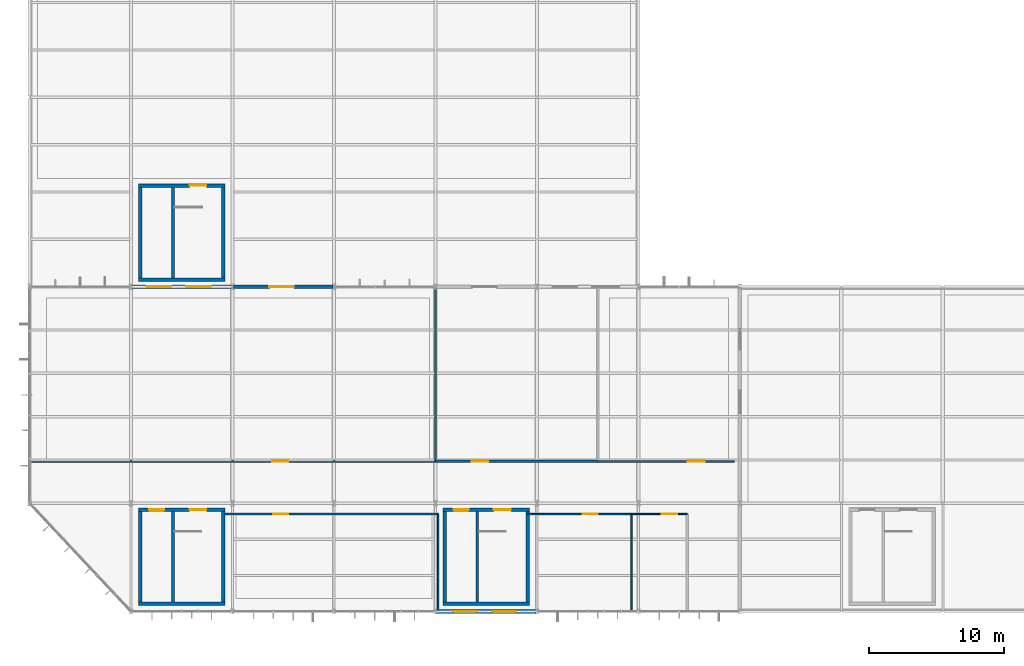
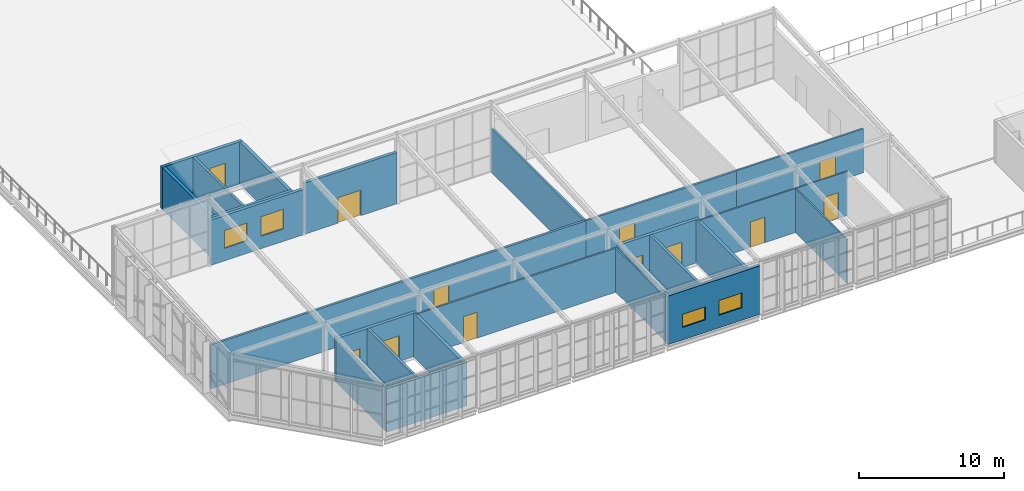
# One storey, part 95 of 104: 27 walls, 12 doors, 4 windows, 16 openings.
"""IFC4 building model written with IfcOpenShell, lengths in metres."""

import ifcopenshell
import ifcopenshell.guid

model = None  # the IFC model being written
_history = None  # IfcOwnerHistory: only IFC2X3 demands one
_inside = {}  # id of a spatial element -> (the spatial element, [elements in it])
_under = {}  # id of a project, library or spatial element -> (it, [spatial elements below it])
_declared = {}  # id of a project -> (the project, [libraries it declares])
_typed = {}  # id of a type object -> (the type object, [elements of that type])
_made_of = {}  # id of a material, layer set ... -> (it, [elements and type objects made of it])


def new_model(schema):
    """Start an empty IFC model of exactly this schema.

    Asked for "IFC4X3", IfcOpenShell would pick the latest addendum, in which some entities
    have other attributes; the version numbers below select the first issue.
    IFC2X3 requires an IfcOwnerHistory on every rooted entity: one is made here for all.
    """
    global model, _history
    if schema == "IFC4X3":
        model = ifcopenshell.file(schema_version=(4, 3, 0, 0))
    else:
        model = ifcopenshell.file(schema=schema)
    _inside.clear()
    _under.clear()
    _declared.clear()
    _typed.clear()
    _made_of.clear()
    _history = None
    if model.schema == "IFC2X3":
        org = make("IfcOrganization", Name="unknown")
        user = make(
            "IfcPersonAndOrganization",
            ThePerson=make("IfcPerson", FamilyName="unknown"),
            TheOrganization=org,
        )
        app = make(
            "IfcApplication",
            ApplicationDeveloper=org,
            Version="unknown",
            ApplicationFullName="unknown",
            ApplicationIdentifier="unknown",
        )
        _history = make(
            "IfcOwnerHistory",
            OwningUser=user,
            OwningApplication=app,
            ChangeAction="ADDED",
            CreationDate=0,
        )
    return model


def make(cls, **values):
    """One entity of the class cls with the attributes given. An attribute that is None is left unset."""
    return model.create_entity(
        cls, **{name: value for name, value in values.items() if value is not None}
    )


def rooted(cls, **values):
    """An entity with a GlobalId (a new one), such as an element, a storey or a relation."""
    return make(cls, GlobalId=ifcopenshell.guid.new(), OwnerHistory=_history, **values)


def si_unit(unit_type, name, prefix=None):
    """IfcSIUnit, for example si_unit("LENGTHUNIT", "METRE", prefix="MILLI")."""
    return make("IfcSIUnit", UnitType=unit_type, Prefix=prefix, Name=name)


def assignment(units):
    """IfcUnitAssignment: the units of a project."""
    return None if units is None else make("IfcUnitAssignment", Units=units)


def point(xyz):
    """IfcCartesianPoint."""
    return None if xyz is None else make("IfcCartesianPoint", Coordinates=xyz)


def direction(xyz):
    """IfcDirection."""
    return None if xyz is None else make("IfcDirection", DirectionRatios=xyz)


def frame(location, z_axis=None, x_axis=None):
    """IfcAxis2Placement3D, a coordinate frame: its origin and axes. An axis left out is left unset."""
    return make(
        "IfcAxis2Placement3D",
        Location=point(location),
        Axis=direction(z_axis),
        RefDirection=direction(x_axis),
    )


def frame_2d(location, x_axis=None):
    """IfcAxis2Placement2D, a coordinate frame in the plane: its origin and x axis."""
    return make(
        "IfcAxis2Placement2D", Location=point(location), RefDirection=direction(x_axis)
    )


def origin():
    """The frame at (0, 0, 0) with its axes left unset."""
    return frame((0.0, 0.0, 0.0))


def place(relative_to, where):
    """IfcLocalPlacement: puts the frame where relative to a parent placement (None: the world)."""
    return make(
        "IfcLocalPlacement", PlacementRelTo=relative_to, RelativePlacement=where
    )


def context(
    kind, dimensions, precision=None, world=None, true_north=None, identifier=None
):
    """IfcGeometricRepresentationContext, for example the 3D "Model" context."""
    return make(
        "IfcGeometricRepresentationContext",
        ContextIdentifier=identifier,
        ContextType=kind,
        CoordinateSpaceDimension=dimensions,
        Precision=precision,
        WorldCoordinateSystem=world,
        TrueNorth=true_north,
    )


def subcontext(parent, identifier, kind, view, scale=None):
    """IfcGeometricRepresentationSubContext, for example "Body" below "Model"."""
    return make(
        "IfcGeometricRepresentationSubContext",
        ContextIdentifier=identifier,
        ContextType=kind,
        ParentContext=parent,
        TargetScale=scale,
        TargetView=view,
    )


def project(units=None, contexts=None):
    """IfcProject with its units and contexts."""
    return rooted(
        "IfcProject",
        Name="project",
        RepresentationContexts=contexts,
        UnitsInContext=assignment(units),
    )


def spatial(cls, under=None, at=None, **own):
    """A site, building, storey or space (cls), placed at a placement, below another one or the project."""
    s = rooted(cls, ObjectPlacement=at, **own)
    if under is not None:
        _under.setdefault(under.id(), (under, []))[1].append(s)
    return s


def profile(cls, at=None, kind="AREA", **sizes):
    """A parametric profile (cls). Its sizes go by their IFC names, for example OverallWidth=200.0."""
    return make(cls, ProfileType=kind, Position=at, **sizes)


def rectangle(**sizes):
    """IfcRectangleProfileDef."""
    return profile("IfcRectangleProfileDef", **sizes)


def extrude(swept, where, along, depth):
    """IfcExtrudedAreaSolid: the profile swept, set in the frame where, extruded along a direction by depth."""
    return make(
        "IfcExtrudedAreaSolid",
        SweptArea=swept,
        Position=where,
        ExtrudedDirection=direction(along),
        Depth=depth,
    )


def shape(context_of_items, identifier, shape_type, items):
    """IfcShapeRepresentation: the items that make up one representation, for example the "Body"."""
    return make(
        "IfcShapeRepresentation",
        ContextOfItems=context_of_items,
        RepresentationIdentifier=identifier,
        RepresentationType=shape_type,
        Items=items,
    )


def material(Name=None, Category=None):
    """IfcMaterial."""
    return make("IfcMaterial", Name=Name, Category=Category)


def layer(
    of_material, thickness, ventilated=None, Name=None, Category=None, Priority=None
):
    """IfcMaterialLayer: one layer of a wall or slab, of a material (None: an air gap)."""
    return make(
        "IfcMaterialLayer",
        Material=of_material,
        LayerThickness=thickness,
        IsVentilated=ventilated,
        Name=Name,
        Category=Category,
        Priority=Priority,
    )


def layer_set(layers, Name=None):
    """IfcMaterialLayerSet."""
    return make("IfcMaterialLayerSet", MaterialLayers=layers, LayerSetName=Name)


def made_of(thing, what):
    """Note that an element or type object is made of a material, layer set ...; save() writes the relation."""
    if what is not None:
        _made_of.setdefault(what.id(), (what, []))[1].append(thing)
    return thing


def type_object(cls, material=None, **own):
    """A type object (cls), such as IfcWallType, which elements share."""
    return made_of(rooted(cls, **own), material)


def element(
    cls,
    number,
    at=None,
    inside=None,
    cuts=None,
    type_object=None,
    material=None,
    context=None,
    identifier="Body",
    shape_type=None,
    held_by="IfcProductDefinitionShape",
    body=None,
    shapes=None,
    **own,
):
    """One element of the class cls, such as IfcWall. Its Tag is "e" and its number.

    at: its placement. inside: the storey or other place that contains it. cuts: it is an
    opening in that element (IfcRelVoidsElement). A single representation is given by context,
    identifier, shape_type and body (its items); several are given by shapes. held_by: the class
    of the entity that holds the representations. save() writes the other relations.
    """
    e = rooted(cls, Tag="e%d" % number, ObjectPlacement=at, **own)
    if body is not None:
        shapes = [shape(context, identifier, shape_type, body)]
    if shapes is not None:
        e.Representation = make(held_by, Representations=shapes)
    if inside is not None:
        _inside.setdefault(inside.id(), (inside, []))[1].append(e)
    if cuts is not None:
        rooted(
            "IfcRelVoidsElement", RelatingBuildingElement=cuts, RelatedOpeningElement=e
        )
    if type_object is not None:
        _typed.setdefault(type_object.id(), (type_object, []))[1].append(e)
    return made_of(e, material)


def fill(opening, filler):
    """IfcRelFillsElement: the door or window that sits in an opening."""
    return rooted(
        "IfcRelFillsElement",
        RelatingOpeningElement=opening,
        RelatedBuildingElement=filler,
    )


def aggregate(whole, parts):
    """IfcRelAggregates: a whole, such as a stair, and the parts it consists of."""
    return rooted("IfcRelAggregates", RelatingObject=whole, RelatedObjects=parts)


def save(model, path):
    """Write the relations noted so far, then the file.

    IfcRelAggregates (storeys below a building ...), IfcRelContainedInSpatialStructure (elements
    in a storey), IfcRelDefinesByType, IfcRelAssociatesMaterial and IfcRelDeclares: one each for
    every whole, place, type object, material and project.
    """
    for whole, parts in _under.values():
        aggregate(whole, parts)
    for where, things in _inside.values():
        rooted(
            "IfcRelContainedInSpatialStructure",
            RelatedElements=things,
            RelatingStructure=where,
        )
    for kind, things in _typed.values():
        rooted("IfcRelDefinesByType", RelatedObjects=things, RelatingType=kind)
    for what, things in _made_of.values():
        rooted("IfcRelAssociatesMaterial", RelatedObjects=things, RelatingMaterial=what)
    for by, libraries in _declared.values():
        rooted("IfcRelDeclares", RelatingContext=by, RelatedDefinitions=libraries)
    model.write(path)


model = new_model("IFC4")

# Units and contexts
model_context = context("Model", 3, precision=1e-05, world=origin(), true_north=direction((0.0, 1.0)))
body_context = subcontext(model_context, "Body", "Model", "MODEL_VIEW")
ifc_project = project(units=[si_unit("LENGTHUNIT", "METRE"), si_unit("AREAUNIT", "SQUARE_METRE"), si_unit("VOLUMEUNIT", "CUBIC_METRE"), si_unit("PLANEANGLEUNIT", "RADIAN"), si_unit("MASSUNIT", "GRAM", prefix="KILO")], contexts=[model_context])

# Site, building, storey
site_placement = place(None, origin())
site = spatial("IfcSite", under=ifc_project, at=site_placement, CompositionType="ELEMENT")
building_placement = place(site_placement, origin())
building = spatial("IfcBuilding", under=site, at=building_placement, Name="Solvenia Promenade Tram Depot", CompositionType="ELEMENT")
storey_placement = place(building_placement, frame((0.0, 0.0, 9.0)))
storey = spatial("IfcBuildingStorey", under=building, at=storey_placement, Name="L02", CompositionType="ELEMENT", Elevation=9.0)

# Wall
ifc_material_1 = material(Name="Concrete C28/35", Category="concrete")
ifc_layer_1 = layer(ifc_material_1, 0.25, Name="Concrete C28/35", Category="concrete")
ifc_layer_set_1 = layer_set([ifc_layer_1], Name="Concrete C28/35")
wall_type_1 = type_object("IfcWallType", Name="Wall-Core-250", PredefinedType="SHEAR", material=ifc_layer_set_1)
wall_1_placement = place(storey_placement, frame((8.050048828125, 0.574951171875, 0.0), z_axis=(0.0, 0.0, 1.0), x_axis=(1.0, 0.0, 0.0)))
element("IfcWall", 1, at=wall_1_placement, inside=storey, type_object=wall_type_1, Name="Core C1 Shear Wall WC-C1-L02-S", PredefinedType="SHEAR", context=body_context, shape_type="SweptSolid", body=[
    extrude(rectangle(XDim=6.39990234375, YDim=0.25, at=frame_2d((3.199951171875, 0.0))), origin(), (0.0, 0.0, 1.0), 3.64990234375),
])

# Wall, openings, doors
wall_2_placement = place(storey_placement, frame((8.050048828125, 7.52490234375, 0.0), z_axis=(0.0, 0.0, 1.0), x_axis=(1.0, 0.0, 0.0)))
wall_2 = element("IfcWall", 2, at=wall_2_placement, inside=storey, type_object=wall_type_1, Name="Core C1 Shear Wall WC-C1-L02-N", PredefinedType="SHEAR", context=body_context, shape_type="SweptSolid", body=[
    extrude(rectangle(XDim=6.39990234375, YDim=0.25, at=frame_2d((3.199951171875, 0.0))), origin(), (0.0, 0.0, 1.0), 3.64990234375),
])
opening_1_placement = place(wall_2_placement, frame((0.800048828125, 0.0, 0.0)))
opening_1 = element("IfcOpeningElement", 3, at=opening_1_placement, cuts=wall_2, Name="Opening LD-01", PredefinedType="OPENING", context=body_context, shape_type="SweptSolid", body=[
    extrude(rectangle(XDim=1.10009765625, YDim=2.14990234375, at=frame_2d((0.550048828125, 1.074951171875))), frame((0.0, 0.135009765625, 0.0), z_axis=(0.0, -1.0, 0.0), x_axis=(1.0, 0.0, 0.0)), (0.0, 0.0, 1.0), 0.27001953125),
])
opening_2_placement = place(wall_2_placement, frame((3.77490234375, 0.0, 0.0)))
opening_2 = element("IfcOpeningElement", 4, at=opening_2_placement, cuts=wall_2, Name="Opening D-FD90", PredefinedType="OPENING", context=body_context, shape_type="SweptSolid", body=[
    extrude(rectangle(XDim=1.25, YDim=2.14990234375, at=frame_2d((0.625, 1.074951171875))), frame((0.0, 0.135009765625, 0.0), z_axis=(0.0, -1.0, 0.0), x_axis=(1.0, 0.0, 0.0)), (0.0, 0.0, 1.0), 0.27001953125),
])
ifc_material_2 = material(Name="Galvanized painted sheet steel", Category="steel")
door_type_1 = type_object("IfcDoorType", Name="Door-Lift-Pass-1100", OperationType="DOUBLE_DOOR_SLIDING", PredefinedType="DOOR", material=ifc_material_2)
door_1_placement = place(opening_1_placement, origin())
door_1 = element("IfcDoor", 5, at=door_1_placement, inside=storey, type_object=door_type_1, Name="Lift Landing Door LF-01 L02", OperationType="DOUBLE_DOOR_SLIDING", OverallHeight=2.14990234375, OverallWidth=1.10009765625, PredefinedType="DOOR", context=body_context, shape_type="SweptSolid", body=[
    extrude(rectangle(XDim=1.10009765625, YDim=2.14990234375, at=frame_2d((0.550048828125, 1.074951171875))), frame((0.0, 0.02490234375, 0.0), z_axis=(0.0, -1.0, 0.0), x_axis=(1.0, 0.0, 0.0)), (0.0, 0.0, 1.0), 0.050048828125),
])
fill(opening_1, door_1)
door_type_2 = type_object("IfcDoorType", Name="Door-Stair-FD90", OperationType="NOTDEFINED", PredefinedType="DOOR", material=ifc_material_2)
door_2_placement = place(opening_2_placement, frame((1.25, 0.0, 0.0), z_axis=(0.0, 0.0, 1.0), x_axis=(-1.0, 0.0, 0.0)))
door_2 = element("IfcDoor", 6, at=door_2_placement, inside=storey, type_object=door_type_2, Name="Exit Stair Door C1 L02", OperationType="SINGLE_SWING_LEFT", OverallHeight=2.14990234375, OverallWidth=1.25, PredefinedType="DOOR", context=body_context, shape_type="SweptSolid", body=[
    extrude(rectangle(XDim=1.25, YDim=2.14990234375, at=frame_2d((0.625, 1.074951171875))), frame((0.0, 0.02490234375, 0.0), z_axis=(0.0, -1.0, 0.0), x_axis=(1.0, 0.0, 0.0)), (0.0, 0.0, 1.0), 0.050048828125),
])
fill(opening_2, door_2)

# Walls
for number, where, z_axis, x_axis, name in (
    (7, (8.175048828125, 0.699951171875, 0.0), (0.0, 0.0, 1.0), (0.0, 1.0, 0.0), "Core C1 Shear Wall WC-C1-L02-W"),
    (8, (14.324951171875, 0.699951171875, 0.0), (0.0, 0.0, 1.0), (0.0, 1.0, 0.0), "Core C1 Shear Wall WC-C1-L02-E"),
):
    element("IfcWall", number, at=place(storey_placement, frame(where, z_axis=z_axis, x_axis=x_axis)), inside=storey, type_object=wall_type_1, Name=name, PredefinedType="SHEAR", context=body_context, shape_type="SweptSolid", body=[
        extrude(rectangle(XDim=6.699951171875, YDim=0.25, at=frame_2d((3.35009765625, 0.0))), origin(), (0.0, 0.0, 1.0), 3.64990234375),
    ])
wall_3_placement = place(storey_placement, frame((30.550048828125, 0.574951171875, 0.0), z_axis=(0.0, 0.0, 1.0), x_axis=(1.0, 0.0, 0.0)))
element("IfcWall", 9, at=wall_3_placement, inside=storey, type_object=wall_type_1, Name="Core C2 Shear Wall WC-C2-L02-S", PredefinedType="SHEAR", context=body_context, shape_type="SweptSolid", body=[
    extrude(rectangle(XDim=6.39990234375, YDim=0.25, at=frame_2d((3.199951171875, 0.0))), origin(), (0.0, 0.0, 1.0), 3.64990234375),
])

# Wall, openings, doors
wall_4_placement = place(storey_placement, frame((30.550048828125, 7.52490234375, 0.0), z_axis=(0.0, 0.0, 1.0), x_axis=(1.0, 0.0, 0.0)))
wall_4 = element("IfcWall", 10, at=wall_4_placement, inside=storey, type_object=wall_type_1, Name="Core C2 Shear Wall WC-C2-L02-N", PredefinedType="SHEAR", context=body_context, shape_type="SweptSolid", body=[
    extrude(rectangle(XDim=6.39990234375, YDim=0.25, at=frame_2d((3.199951171875, 0.0))), origin(), (0.0, 0.0, 1.0), 3.64990234375),
])
opening_3_placement = place(wall_4_placement, frame((0.800048828125, 0.0, 0.0)))
opening_3 = element("IfcOpeningElement", 11, at=opening_3_placement, cuts=wall_4, Name="Opening LD-02", PredefinedType="OPENING", context=body_context, shape_type="SweptSolid", body=[
    extrude(rectangle(XDim=1.10009765625, YDim=2.14990234375, at=frame_2d((0.550048828125, 1.074951171875))), frame((0.0, 0.135009765625, 0.0), z_axis=(0.0, -1.0, 0.0), x_axis=(1.0, 0.0, 0.0)), (0.0, 0.0, 1.0), 0.27001953125),
])
opening_4_placement = place(wall_4_placement, frame((3.77490234375, 0.0, 0.0)))
opening_4 = element("IfcOpeningElement", 12, at=opening_4_placement, cuts=wall_4, Name="Opening D-FD90", PredefinedType="OPENING", context=body_context, shape_type="SweptSolid", body=[
    extrude(rectangle(XDim=1.25, YDim=2.14990234375, at=frame_2d((0.625, 1.074951171875))), frame((0.0, 0.135009765625, 0.0), z_axis=(0.0, -1.0, 0.0), x_axis=(1.0, 0.0, 0.0)), (0.0, 0.0, 1.0), 0.27001953125),
])
door_3_placement = place(opening_3_placement, origin())
door_3 = element("IfcDoor", 13, at=door_3_placement, inside=storey, type_object=door_type_1, Name="Lift Landing Door LF-02 L02", OperationType="DOUBLE_DOOR_SLIDING", OverallHeight=2.14990234375, OverallWidth=1.10009765625, PredefinedType="DOOR", context=body_context, shape_type="SweptSolid", body=[
    extrude(rectangle(XDim=1.10009765625, YDim=2.14990234375, at=frame_2d((0.550048828125, 1.074951171875))), frame((0.0, 0.02490234375, 0.0), z_axis=(0.0, -1.0, 0.0), x_axis=(1.0, 0.0, 0.0)), (0.0, 0.0, 1.0), 0.050048828125),
])
fill(opening_3, door_3)
door_4_placement = place(opening_4_placement, frame((1.25, 0.0, 0.0), z_axis=(0.0, 0.0, 1.0), x_axis=(-1.0, 0.0, 0.0)))
door_4 = element("IfcDoor", 14, at=door_4_placement, inside=storey, type_object=door_type_2, Name="Exit Stair Door C2 L02", OperationType="SINGLE_SWING_RIGHT", OverallHeight=2.14990234375, OverallWidth=1.25, PredefinedType="DOOR", context=body_context, shape_type="SweptSolid", body=[
    extrude(rectangle(XDim=1.25, YDim=2.14990234375, at=frame_2d((0.625, 1.074951171875))), frame((0.0, 0.02490234375, 0.0), z_axis=(0.0, -1.0, 0.0), x_axis=(1.0, 0.0, 0.0)), (0.0, 0.0, 1.0), 0.050048828125),
])
fill(opening_4, door_4)

# Walls
for number, where, z_axis, x_axis, name in (
    (15, (30.675048828125, 0.699951171875, 0.0), (0.0, 0.0, 1.0), (0.0, 1.0, 0.0), "Core C2 Shear Wall WC-C2-L02-W"),
    (16, (36.824951171875, 0.699951171875, 0.0), (0.0, 0.0, 1.0), (0.0, 1.0, 0.0), "Core C2 Shear Wall WC-C2-L02-E"),
):
    element("IfcWall", number, at=place(storey_placement, frame(where, z_axis=z_axis, x_axis=x_axis)), inside=storey, type_object=wall_type_1, Name=name, PredefinedType="SHEAR", context=body_context, shape_type="SweptSolid", body=[
        extrude(rectangle(XDim=6.699951171875, YDim=0.25, at=frame_2d((3.35009765625, 0.0))), origin(), (0.0, 0.0, 1.0), 3.64990234375),
    ])
wall_5_placement = place(storey_placement, frame((8.050048828125, 24.52490234375, 0.0), z_axis=(0.0, 0.0, 1.0), x_axis=(1.0, 0.0, 0.0)))
element("IfcWall", 17, at=wall_5_placement, inside=storey, type_object=wall_type_1, Name="Core C7 Shear Wall WC-C7-L02-S", PredefinedType="SHEAR", context=body_context, shape_type="SweptSolid", body=[
    extrude(rectangle(XDim=6.39990234375, YDim=0.25, at=frame_2d((3.199951171875, 0.0))), origin(), (0.0, 0.0, 1.0), 3.550048828125),
])

# Wall, opening, door
wall_6_placement = place(storey_placement, frame((8.050048828125, 31.47509765625, 0.0), z_axis=(0.0, 0.0, 1.0), x_axis=(1.0, 0.0, 0.0)))
wall_6 = element("IfcWall", 18, at=wall_6_placement, inside=storey, type_object=wall_type_1, Name="Core C7 Shear Wall WC-C7-L02-N", PredefinedType="SHEAR", context=body_context, shape_type="SweptSolid", body=[
    extrude(rectangle(XDim=6.39990234375, YDim=0.25, at=frame_2d((3.199951171875, 0.0))), origin(), (0.0, 0.0, 1.0), 3.550048828125),
])
opening_5_placement = place(wall_6_placement, frame((3.77490234375, 0.0, 0.0)))
opening_5 = element("IfcOpeningElement", 19, at=opening_5_placement, cuts=wall_6, Name="Opening D-FD90", PredefinedType="OPENING", context=body_context, shape_type="SweptSolid", body=[
    extrude(rectangle(XDim=1.25, YDim=2.14990234375, at=frame_2d((0.625, 1.074951171875))), frame((0.0, 0.135009765625, 0.0), z_axis=(0.0, -1.0, 0.0), x_axis=(1.0, 0.0, 0.0)), (0.0, 0.0, 1.0), 0.27001953125),
])
door_5_placement = place(opening_5_placement, origin())
door_5 = element("IfcDoor", 20, at=door_5_placement, inside=storey, type_object=door_type_2, Name="Exit Stair Door C7 L02", OperationType="SINGLE_SWING_LEFT", OverallHeight=2.14990234375, OverallWidth=1.25, PredefinedType="DOOR", context=body_context, shape_type="SweptSolid", body=[
    extrude(rectangle(XDim=1.25, YDim=2.14990234375, at=frame_2d((0.625, 1.074951171875))), frame((0.0, 0.02490234375, 0.0), z_axis=(0.0, -1.0, 0.0), x_axis=(1.0, 0.0, 0.0)), (0.0, 0.0, 1.0), 0.050048828125),
])
fill(opening_5, door_5)

# Walls
for number, where, z_axis, x_axis, name in (
    (21, (8.175048828125, 24.64990234375, 0.0), (0.0, 0.0, 1.0), (0.0, 1.0, 0.0), "Core C7 Shear Wall WC-C7-L02-W"),
    (22, (14.324951171875, 24.64990234375, 0.0), (0.0, 0.0, 1.0), (0.0, 1.0, 0.0), "Core C7 Shear Wall WC-C7-L02-E"),
):
    element("IfcWall", number, at=place(storey_placement, frame(where, z_axis=z_axis, x_axis=x_axis)), inside=storey, type_object=wall_type_1, Name=name, PredefinedType="SHEAR", context=body_context, shape_type="SweptSolid", body=[
        extrude(rectangle(XDim=6.7001953125, YDim=0.25, at=frame_2d((3.35009765625, 0.0))), origin(), (0.0, 0.0, 1.0), 3.550048828125),
    ])

# Wall, opening, door
ifc_material_3 = material(Name="Concrete blockwork masonry", Category="masonry")
ifc_layer_2 = layer(ifc_material_3, 0.14501953125, Name="Concrete blockwork masonry", Category="masonry")
ifc_layer_set_2 = layer_set([ifc_layer_2], Name="Concrete blockwork masonry")
wall_type_2 = type_object("IfcWallType", Name="Wall-Masonry-145", PredefinedType="PARTITIONING", material=ifc_layer_set_2)
wall_7_placement = place(storey_placement, frame((42.0, 11.10009765625, 0.0), z_axis=(0.0, 0.0, 1.0), x_axis=(1.0, 0.0, 0.0)))
wall_7 = element("IfcWall", 23, at=wall_7_placement, inside=storey, type_object=wall_type_2, Name="Training Classroom Beta Partition WP-L02-114", PredefinedType="PARTITIONING", context=body_context, shape_type="SweptSolid", body=[
    extrude(rectangle(XDim=10.10009765625, YDim=0.14501953125, at=frame_2d((5.050048828125, 0.0))), origin(), (0.0, 0.0, 1.0), 3.699951171875),
])
opening_6_placement = place(wall_7_placement, frame((6.6298828125, 0.0, 0.0)))
opening_6 = element("IfcOpeningElement", 24, at=opening_6_placement, cuts=wall_7, Name="Opening DR-22", PredefinedType="OPENING", context=body_context, shape_type="SweptSolid", body=[
    extrude(rectangle(XDim=1.260009765625, YDim=2.159912109375, at=frame_2d((0.6298828125, 1.080078125))), frame((0.0, 0.08251953125, 0.0), z_axis=(0.0, -1.0, 0.0), x_axis=(1.0, 0.0, 0.0)), (0.0, 0.0, 1.0), 0.1650390625),
])
door_type_3 = type_object("IfcDoorType", Name="Door-Room-1260x2160", OperationType="NOTDEFINED", PredefinedType="DOOR", material=ifc_material_2)
door_6_placement = place(opening_6_placement, origin())
door_6 = element("IfcDoor", 25, at=door_6_placement, inside=storey, type_object=door_type_3, Name="Door to Training Classroom Beta", OperationType="SINGLE_SWING_RIGHT", OverallHeight=2.159912109375, OverallWidth=1.260009765625, PredefinedType="DOOR", context=body_context, shape_type="SweptSolid", body=[
    extrude(rectangle(XDim=1.260009765625, YDim=2.159912109375, at=frame_2d((0.6298828125, 1.080078125))), frame((0.0, 0.02490234375, 0.0), z_axis=(0.0, -1.0, 0.0), x_axis=(1.0, 0.0, 0.0)), (0.0, 0.0, 1.0), 0.050048828125),
])
fill(opening_6, door_6)

# Wall
ifc_layer_3 = layer(ifc_material_3, 0.159912109375, Name="Concrete blockwork masonry", Category="masonry")
ifc_layer_set_3 = layer_set([ifc_layer_3], Name="Concrete blockwork masonry")
wall_type_3 = type_object("IfcWallType", Name="Wall-Masonry-160", PredefinedType="PARTITIONING", material=ifc_layer_set_3)
wall_8_placement = place(storey_placement, frame((30.0, 11.10009765625, 0.0), z_axis=(0.0, 0.0, 1.0), x_axis=(0.0, 1.0, 0.0)))
element("IfcWall", 26, at=wall_8_placement, inside=storey, type_object=wall_type_3, Name="Staff Canteen Dividing Wall WP-L02-111", PredefinedType="PARTITIONING", context=body_context, shape_type="SweptSolid", body=[
    extrude(rectangle(XDim=12.81982421875, YDim=0.159912109375, at=frame_2d((6.409912109375, 0.0))), origin(), (0.0, 0.0, 1.0), 3.699951171875),
])

# Wall, opening, door
wall_9_placement = place(storey_placement, frame((30.0, 11.10009765625, 0.0), z_axis=(0.0, 0.0, 1.0), x_axis=(1.0, 0.0, 0.0)))
wall_9 = element("IfcWall", 27, at=wall_9_placement, inside=storey, type_object=wall_type_3, Name="Commercial Kitchen Partition WP-L02-112", PredefinedType="PARTITIONING", context=body_context, shape_type="SweptSolid", body=[
    extrude(rectangle(XDim=12.0, YDim=0.159912109375, at=frame_2d((6.0, 0.0))), origin(), (0.0, 0.0, 1.0), 3.699951171875),
])
opening_7_placement = place(wall_9_placement, frame((2.695068359375, 0.0, 0.0)))
opening_7 = element("IfcOpeningElement", 28, at=opening_7_placement, cuts=wall_9, Name="Opening DR-21", PredefinedType="OPENING", context=body_context, shape_type="SweptSolid", body=[
    extrude(rectangle(XDim=1.219970703125, YDim=2.14990234375, at=frame_2d((0.60986328125, 1.074951171875))), frame((0.0, 0.08984375, 0.0), z_axis=(0.0, -1.0, 0.0), x_axis=(1.0, 0.0, 0.0)), (0.0, 0.0, 1.0), 0.179931640625),
])
door_type_4 = type_object("IfcDoorType", Name="Door-Room-1220x2150", OperationType="NOTDEFINED", PredefinedType="DOOR", material=ifc_material_2)
door_7_placement = place(opening_7_placement, origin())
door_7 = element("IfcDoor", 29, at=door_7_placement, inside=storey, type_object=door_type_4, Name="Door to Commercial Kitchen", OperationType="SINGLE_SWING_LEFT", OverallHeight=2.14990234375, OverallWidth=1.219970703125, PredefinedType="DOOR", context=body_context, shape_type="SweptSolid", body=[
    extrude(rectangle(XDim=1.219970703125, YDim=2.14990234375, at=frame_2d((0.60986328125, 1.074951171875))), frame((0.0, 0.02490234375, 0.0), z_axis=(0.0, -1.0, 0.0), x_axis=(1.0, 0.0, 0.0)), (0.0, 0.0, 1.0), 0.050048828125),
])
fill(opening_7, door_7)

ifc_layer_4 = layer(ifc_material_3, 0.175048828125, Name="Concrete blockwork masonry", Category="masonry")
ifc_layer_set_4 = layer_set([ifc_layer_4], Name="Concrete blockwork masonry")
wall_type_4 = type_object("IfcWallType", Name="Wall-Masonry-175", PredefinedType="PARTITIONING", material=ifc_layer_set_4)
wall_10_placement = place(storey_placement, frame((0.159912109375, 11.10009765625, 0.0), z_axis=(0.0, 0.0, 1.0), x_axis=(1.0, 0.0, 0.0)))
wall_10 = element("IfcWall", 30, at=wall_10_placement, inside=storey, type_object=wall_type_4, Name="Staff Canteen Partition WP-L02-110", PredefinedType="PARTITIONING", context=body_context, shape_type="SweptSolid", body=[
    extrude(rectangle(XDim=29.840087890625, YDim=0.175048828125, at=frame_2d((14.919921875, 0.0))), origin(), (0.0, 0.0, 1.0), 3.699951171875),
])
opening_8_placement = place(wall_10_placement, frame((17.76904296875, 0.0, 0.0)))
opening_8 = element("IfcOpeningElement", 31, at=opening_8_placement, cuts=wall_10, Name="Opening DR-20", PredefinedType="OPENING", context=body_context, shape_type="SweptSolid", body=[
    extrude(rectangle(XDim=1.179931640625, YDim=2.139892578125, at=frame_2d((0.58984375, 1.06982421875))), frame((0.0, 0.097412109375, 0.0), z_axis=(0.0, -1.0, 0.0), x_axis=(1.0, 0.0, 0.0)), (0.0, 0.0, 1.0), 0.195068359375),
])
door_type_5 = type_object("IfcDoorType", Name="Door-Room-1180x2140", OperationType="NOTDEFINED", PredefinedType="DOOR", material=ifc_material_2)
door_8_placement = place(opening_8_placement, origin())
door_8 = element("IfcDoor", 32, at=door_8_placement, inside=storey, type_object=door_type_5, Name="Door to Staff Canteen", OperationType="SINGLE_SWING_RIGHT", OverallHeight=2.139892578125, OverallWidth=1.179931640625, PredefinedType="DOOR", context=body_context, shape_type="SweptSolid", body=[
    extrude(rectangle(XDim=1.179931640625, YDim=2.139892578125, at=frame_2d((0.58984375, 1.06982421875))), frame((0.0, 0.02490234375, 0.0), z_axis=(0.0, -1.0, 0.0), x_axis=(1.0, 0.0, 0.0)), (0.0, 0.0, 1.0), 0.050048828125),
])
fill(opening_8, door_8)

# Wall
ifc_material_4 = material(Name="Gypsum board acoustic partition", Category="other")
ifc_layer_5 = layer(ifc_material_4, 0.114013671875, Name="Gypsum board acoustic partition", Category="other")
ifc_layer_set_5 = layer_set([ifc_layer_5], Name="Gypsum board acoustic partition")
wall_type_5 = type_object("IfcWallType", Name="Wall-Part-114", PredefinedType="PARTITIONING", material=ifc_layer_set_5)
wall_11_placement = place(storey_placement, frame((30.199951171875, 0.080078125, 0.0), z_axis=(0.0, 0.0, 1.0), x_axis=(0.0, 1.0, 0.0)))
element("IfcWall", 33, at=wall_11_placement, inside=storey, type_object=wall_type_5, Name="Training Classroom Alpha Dividing Wall WP-L02-105", PredefinedType="PARTITIONING", context=body_context, shape_type="SweptSolid", body=[
    extrude(rectangle(XDim=7.119873046875, YDim=0.114013671875, at=frame_2d((3.56005859375, 0.0))), origin(), (0.0, 0.0, 1.0), 3.699951171875),
])

# Wall, opening, door
wall_12_placement = place(storey_placement, frame((36.824951171875, 7.199951171875, 0.0), z_axis=(0.0, 0.0, 1.0), x_axis=(1.0, 0.0, 0.0)))
wall_12 = element("IfcWall", 34, at=wall_12_placement, inside=storey, type_object=wall_type_5, Name="Second Floor Staff WC Partition WP-L02-106", PredefinedType="PARTITIONING", context=body_context, shape_type="SweptSolid", body=[
    extrude(rectangle(XDim=7.675048828125, YDim=0.114013671875, at=frame_2d((3.83740234375, 0.0))), origin(), (0.0, 0.0, 1.0), 3.699951171875),
])
opening_9_placement = place(wall_12_placement, frame((4.06396484375, 0.0, 0.0)))
opening_9 = element("IfcOpeningElement", 35, at=opening_9_placement, cuts=wall_12, Name="Opening DR-18", PredefinedType="OPENING", context=body_context, shape_type="SweptSolid", body=[
    extrude(rectangle(XDim=1.1201171875, YDim=2.139892578125, at=frame_2d((0.56005859375, 1.06982421875))), frame((0.0, 0.06689453125, 0.0), z_axis=(0.0, -1.0, 0.0), x_axis=(1.0, 0.0, 0.0)), (0.0, 0.0, 1.0), 0.134033203125),
])
door_type_6 = type_object("IfcDoorType", Name="Door-Room-1120x2140", OperationType="NOTDEFINED", PredefinedType="DOOR", material=ifc_material_2)
door_9_placement = place(opening_9_placement, origin())
door_9 = element("IfcDoor", 36, at=door_9_placement, inside=storey, type_object=door_type_6, Name="Door to Second Floor Staff WC", OperationType="SINGLE_SWING_RIGHT", OverallHeight=2.139892578125, OverallWidth=1.1201171875, PredefinedType="DOOR", context=body_context, shape_type="SweptSolid", body=[
    extrude(rectangle(XDim=1.1201171875, YDim=2.139892578125, at=frame_2d((0.56005859375, 1.06982421875))), frame((0.0, 0.02490234375, 0.0), z_axis=(0.0, -1.0, 0.0), x_axis=(1.0, 0.0, 0.0)), (0.0, 0.0, 1.0), 0.050048828125),
])
fill(opening_9, door_9)

ifc_layer_6 = layer(ifc_material_4, 0.1298828125, Name="Gypsum board acoustic partition", Category="other")
ifc_layer_set_6 = layer_set([ifc_layer_6], Name="Gypsum board acoustic partition")
wall_type_6 = type_object("IfcWallType", Name="Wall-Part-130", PredefinedType="PARTITIONING", material=ifc_layer_set_6)
wall_13_placement = place(storey_placement, frame((14.324951171875, 7.199951171875, 0.0), z_axis=(0.0, 0.0, 1.0), x_axis=(1.0, 0.0, 0.0)))
wall_13 = element("IfcWall", 37, at=wall_13_placement, inside=storey, type_object=wall_type_6, Name="Training Classroom Alpha Partition WP-L02-104", PredefinedType="PARTITIONING", context=body_context, shape_type="SweptSolid", body=[
    extrude(rectangle(XDim=15.875, YDim=0.1298828125, at=frame_2d((7.9375, 0.0))), origin(), (0.0, 0.0, 1.0), 3.699951171875),
])
opening_10_placement = place(wall_13_placement, frame((3.694091796875, 0.0, 0.0)))
opening_10 = element("IfcOpeningElement", 38, at=opening_10_placement, cuts=wall_13, Name="Opening DR-17", PredefinedType="OPENING", context=body_context, shape_type="SweptSolid", body=[
    extrude(rectangle(XDim=1.10009765625, YDim=2.179931640625, at=frame_2d((0.550048828125, 1.08984375))), frame((0.0, 0.074951171875, 0.0), z_axis=(0.0, -1.0, 0.0), x_axis=(1.0, 0.0, 0.0)), (0.0, 0.0, 1.0), 0.14990234375),
])
door_type_7 = type_object("IfcDoorType", Name="Door-Room-1100x2180", OperationType="NOTDEFINED", PredefinedType="DOOR", material=ifc_material_2)
door_10_placement = place(opening_10_placement, origin())
door_10 = element("IfcDoor", 39, at=door_10_placement, inside=storey, type_object=door_type_7, Name="Door to Training Classroom Alpha", OperationType="SINGLE_SWING_LEFT", OverallHeight=2.179931640625, OverallWidth=1.10009765625, PredefinedType="DOOR", context=body_context, shape_type="SweptSolid", body=[
    extrude(rectangle(XDim=1.10009765625, YDim=2.179931640625, at=frame_2d((0.550048828125, 1.08984375))), frame((0.0, 0.02490234375, 0.0), z_axis=(0.0, -1.0, 0.0), x_axis=(1.0, 0.0, 0.0)), (0.0, 0.0, 1.0), 0.050048828125),
])
fill(opening_10, door_10)

# Wall
ifc_layer_7 = layer(ifc_material_4, 0.097900390625, Name="Gypsum board acoustic partition", Category="other")
ifc_layer_set_7 = layer_set([ifc_layer_7], Name="Gypsum board acoustic partition")
wall_type_7 = type_object("IfcWallType", Name="Wall-Part-98", PredefinedType="PARTITIONING", material=ifc_layer_set_7)
wall_14_placement = place(storey_placement, frame((44.5, 0.080078125, 0.0), z_axis=(0.0, 0.0, 1.0), x_axis=(0.0, 1.0, 0.0)))
element("IfcWall", 40, at=wall_14_placement, inside=storey, type_object=wall_type_7, Name="Second Floor Staff WC Dividing Wall WP-L02-107", PredefinedType="PARTITIONING", context=body_context, shape_type="SweptSolid", body=[
    extrude(rectangle(XDim=7.119873046875, YDim=0.097900390625, at=frame_2d((3.56005859375, 0.0))), origin(), (0.0, 0.0, 1.0), 3.699951171875),
])

# Wall, opening, door
wall_15_placement = place(storey_placement, frame((44.5, 7.199951171875, 0.0), z_axis=(0.0, 0.0, 1.0), x_axis=(1.0, 0.0, 0.0)))
wall_15 = element("IfcWall", 41, at=wall_15_placement, inside=storey, type_object=wall_type_7, Name="Second Floor Accessible WC Partition WP-L02-108", PredefinedType="PARTITIONING", context=body_context, shape_type="SweptSolid", body=[
    extrude(rectangle(XDim=4.10009765625, YDim=0.097900390625, at=frame_2d((2.050048828125, 0.0))), origin(), (0.0, 0.0, 1.0), 3.699951171875),
])
opening_11_placement = place(wall_15_placement, frame((2.219970703125, 0.0, 0.0)))
opening_11 = element("IfcOpeningElement", 42, at=opening_11_placement, cuts=wall_15, Name="Opening DR-19", PredefinedType="OPENING", context=body_context, shape_type="SweptSolid", body=[
    extrude(rectangle(XDim=1.139892578125, YDim=2.159912109375, at=frame_2d((0.56982421875, 1.080078125))), frame((0.0, 0.058837890625, 0.0), z_axis=(0.0, -1.0, 0.0), x_axis=(1.0, 0.0, 0.0)), (0.0, 0.0, 1.0), 0.117919921875),
])
door_type_8 = type_object("IfcDoorType", Name="Door-Room-1140x2160", OperationType="NOTDEFINED", PredefinedType="DOOR", material=ifc_material_2)
door_11_placement = place(opening_11_placement, origin())
door_11 = element("IfcDoor", 43, at=door_11_placement, inside=storey, type_object=door_type_8, Name="Door to Second Floor Accessible WC", OperationType="SINGLE_SWING_LEFT", OverallHeight=2.159912109375, OverallWidth=1.139892578125, PredefinedType="DOOR", context=body_context, shape_type="SweptSolid", body=[
    extrude(rectangle(XDim=1.139892578125, YDim=2.159912109375, at=frame_2d((0.56982421875, 1.080078125))), frame((0.0, 0.02490234375, 0.0), z_axis=(0.0, -1.0, 0.0), x_axis=(1.0, 0.0, 0.0)), (0.0, 0.0, 1.0), 0.050048828125),
])
fill(opening_11, door_11)

# Walls
ifc_layer_8 = layer(ifc_material_1, 0.199951171875, Name="Concrete C28/35", Category="concrete")
ifc_layer_set_8 = layer_set([ifc_layer_8], Name="Concrete C28/35")
wall_type_8 = type_object("IfcWallType", Name="Wall-Shaft-200", PredefinedType="SHEAR", material=ifc_layer_set_8)
for number, where, z_axis, x_axis, name in (
    (44, (10.60009765625, 0.699951171875, 0.0), (0.0, 0.0, 1.0), (0.0, 1.0, 0.0), "Core C1 Shear Wall WC-C1-L02-DIV"),
    (45, (33.10009765625, 0.699951171875, 0.0), (0.0, 0.0, 1.0), (0.0, 1.0, 0.0), "Core C2 Shear Wall WC-C2-L02-DIV"),
):
    element("IfcWall", number, at=place(storey_placement, frame(where, z_axis=z_axis, x_axis=x_axis)), inside=storey, type_object=wall_type_8, Name=name, PredefinedType="SHEAR", context=body_context, shape_type="SweptSolid", body=[
        extrude(rectangle(XDim=6.699951171875, YDim=0.199951171875, at=frame_2d((3.35009765625, 0.0))), origin(), (0.0, 0.0, 1.0), 3.64990234375),
    ])
wall_16_placement = place(storey_placement, frame((10.60009765625, 24.64990234375, 0.0), z_axis=(0.0, 0.0, 1.0), x_axis=(0.0, 1.0, 0.0)))
element("IfcWall", 46, at=wall_16_placement, inside=storey, type_object=wall_type_8, Name="Core C7 Shear Wall WC-C7-L02-DIV", PredefinedType="SHEAR", context=body_context, shape_type="SweptSolid", body=[
    extrude(rectangle(XDim=6.7001953125, YDim=0.199951171875, at=frame_2d((3.35009765625, 0.0))), origin(), (0.0, 0.0, 1.0), 3.550048828125),
])

# Wall, openings, windows
ifc_material_5 = material(Name="Concrete C35/45", Category="concrete")
ifc_layer_9 = layer(ifc_material_5, 0.239990234375, Name="Concrete C35/45", Category="concrete")
ifc_layer_set_9 = layer_set([ifc_layer_9], Name="Concrete C35/45")
wall_type_9 = type_object("IfcWallType", Name="Wall-Spandrel-240", PredefinedType="SOLIDWALL", material=ifc_layer_set_9)
wall_17_placement = place(storey_placement, frame((7.580078125, 24.0, 0.0), z_axis=(0.0, 0.0, 1.0), x_axis=(1.0, 0.0, 0.0)))
wall_17 = element("IfcWall", 47, at=wall_17_placement, inside=storey, type_object=wall_type_9, Name="L02 Courtyard Pier Wall EW-L02-085", PredefinedType="SOLIDWALL", context=body_context, shape_type="SweptSolid", body=[
    extrude(rectangle(XDim=7.33984375, YDim=0.239990234375, at=frame_2d((3.669921875, 0.0))), origin(), (0.0, 0.0, 1.0), 3.800048828125),
])
opening_12_placement = place(wall_17_placement, frame((1.10009765625, 0.0, 1.050048828125)))
opening_12 = element("IfcOpeningElement", 48, at=opening_12_placement, cuts=wall_17, Name="Opening WN-22", PredefinedType="OPENING", context=body_context, shape_type="SweptSolid", body=[
    extrude(rectangle(XDim=1.800048828125, YDim=1.5, at=frame_2d((0.89990234375, 0.75))), frame((0.0, 0.1298828125, 0.0), z_axis=(0.0, -1.0, 0.0), x_axis=(1.0, 0.0, 0.0)), (0.0, 0.0, 1.0), 0.260009765625),
])
opening_13_placement = place(wall_17_placement, frame((4.0, 0.0, 1.050048828125)))
opening_13 = element("IfcOpeningElement", 49, at=opening_13_placement, cuts=wall_17, Name="Opening WN-23", PredefinedType="OPENING", context=body_context, shape_type="SweptSolid", body=[
    extrude(rectangle(XDim=1.800048828125, YDim=1.64990234375, at=frame_2d((0.89990234375, 0.824951171875))), frame((0.0, 0.1298828125, 0.0), z_axis=(0.0, -1.0, 0.0), x_axis=(1.0, 0.0, 0.0)), (0.0, 0.0, 1.0), 0.260009765625),
])
ifc_material_6 = material(Name="Double low-e argon insulated glass", Category="glass")
window_type_1 = type_object("IfcWindowType", Name="Win-1800x1500", PartitioningType="DOUBLE_PANEL_VERTICAL", PredefinedType="WINDOW", material=ifc_material_6)
window_1_placement = place(opening_12_placement, origin())
window_1 = element("IfcWindow", 50, at=window_1_placement, inside=storey, type_object=window_type_1, Name="L02 Courtyard Window 022", OverallHeight=1.5, OverallWidth=1.800048828125, PartitioningType="SINGLE_PANEL", PredefinedType="WINDOW", context=body_context, shape_type="SweptSolid", body=[
    extrude(rectangle(XDim=1.800048828125, YDim=1.5, at=frame_2d((0.89990234375, 0.75))), frame((0.0, 0.030029296875, 0.0), z_axis=(0.0, -1.0, 0.0), x_axis=(1.0, 0.0, 0.0)), (0.0, 0.0, 1.0), 0.06005859375),
])
fill(opening_12, window_1)
window_type_2 = type_object("IfcWindowType", Name="Win-1800x1650", PartitioningType="DOUBLE_PANEL_VERTICAL", PredefinedType="WINDOW", material=ifc_material_6)
window_2_placement = place(opening_13_placement, origin())
window_2 = element("IfcWindow", 51, at=window_2_placement, inside=storey, type_object=window_type_2, Name="L02 Courtyard Window 023", OverallHeight=1.64990234375, OverallWidth=1.800048828125, PartitioningType="SINGLE_PANEL", PredefinedType="WINDOW", context=body_context, shape_type="SweptSolid", body=[
    extrude(rectangle(XDim=1.800048828125, YDim=1.64990234375, at=frame_2d((0.89990234375, 0.824951171875))), frame((0.0, 0.030029296875, 0.0), z_axis=(0.0, -1.0, 0.0), x_axis=(1.0, 0.0, 0.0)), (0.0, 0.0, 1.0), 0.06005859375),
])
fill(opening_13, window_2)

# Wall, opening, door
wall_18_placement = place(storey_placement, frame((15.080078125, 24.0, 0.0), z_axis=(0.0, 0.0, 1.0), x_axis=(1.0, 0.0, 0.0)))
wall_18 = element("IfcWall", 52, at=wall_18_placement, inside=storey, type_object=wall_type_9, Name="Canteen Garden Terrace Wall EW-L02-086", PredefinedType="SOLIDWALL", context=body_context, shape_type="SweptSolid", body=[
    extrude(rectangle(XDim=7.33984375, YDim=0.239990234375, at=frame_2d((3.669921875, 0.0))), origin(), (0.0, 0.0, 1.0), 4.300048828125),
])
opening_14_placement = place(wall_18_placement, frame((2.64990234375, 0.0, 0.0)))
opening_14 = element("IfcOpeningElement", 53, at=opening_14_placement, cuts=wall_18, Name="Opening TD-01", PredefinedType="OPENING", context=body_context, shape_type="SweptSolid", body=[
    extrude(rectangle(XDim=1.800048828125, YDim=2.14990234375, at=frame_2d((0.89990234375, 1.074951171875))), frame((0.0, 0.1298828125, 0.0), z_axis=(0.0, -1.0, 0.0), x_axis=(1.0, 0.0, 0.0)), (0.0, 0.0, 1.0), 0.260009765625),
])
ifc_material_7 = material(Name="Anodized aluminium AW-6063 T6", Category="aluminium")
door_type_9 = type_object("IfcDoorType", Name="Door-Terr-1800x2150", OperationType="NOTDEFINED", PredefinedType="DOOR", material=ifc_material_7)
door_12_placement = place(opening_14_placement, origin())
door_12 = element("IfcDoor", 54, at=door_12_placement, inside=storey, type_object=door_type_9, Name="SUDS Roof Garden Terrace Door 3", OperationType="SINGLE_SWING_LEFT", OverallHeight=2.14990234375, OverallWidth=1.800048828125, PredefinedType="DOOR", context=body_context, shape_type="SweptSolid", body=[
    extrude(rectangle(XDim=1.800048828125, YDim=2.14990234375, at=frame_2d((0.89990234375, 1.074951171875))), frame((0.0, 0.02490234375, 0.0), z_axis=(0.0, -1.0, 0.0), x_axis=(1.0, 0.0, 0.0)), (0.0, 0.0, 1.0), 0.050048828125),
])
fill(opening_14, door_12)

# Wall, openings, windows
ifc_layer_10 = layer(ifc_material_5, 0.264892578125, Name="Concrete C35/45", Category="concrete")
ifc_layer_set_10 = layer_set([ifc_layer_10], Name="Concrete C35/45")
wall_type_10 = type_object("IfcWallType", Name="Wall-Spandrel-265", PredefinedType="SOLIDWALL", material=ifc_layer_set_10)
wall_19_placement = place(storey_placement, frame((30.080078125, 0.0, 0.0), z_axis=(0.0, 0.0, 1.0), x_axis=(1.0, 0.0, 0.0)))
wall_19 = element("IfcWall", 55, at=wall_19_placement, inside=storey, type_object=wall_type_10, Name="L02 South Feature Pier EW-L02-084", PredefinedType="SOLIDWALL", context=body_context, shape_type="SweptSolid", body=[
    extrude(rectangle(XDim=7.33984375, YDim=0.264892578125, at=frame_2d((3.669921875, 0.0))), origin(), (0.0, 0.0, 1.0), 4.0869140625),
])
opening_15_placement = place(wall_19_placement, frame((1.199951171875, 0.0, 1.050048828125)))
opening_15 = element("IfcOpeningElement", 56, at=opening_15_placement, cuts=wall_19, Name="Opening WN-20", PredefinedType="OPENING", context=body_context, shape_type="SweptSolid", body=[
    extrude(rectangle(XDim=1.800048828125, YDim=1.10009765625, at=frame_2d((0.89990234375, 0.550048828125))), frame((0.0, 0.142333984375, 0.0), z_axis=(0.0, -1.0, 0.0), x_axis=(1.0, 0.0, 0.0)), (0.0, 0.0, 1.0), 0.284912109375),
])
opening_16_placement = place(wall_19_placement, frame((4.10009765625, 0.0, 1.050048828125)))
opening_16 = element("IfcOpeningElement", 57, at=opening_16_placement, cuts=wall_19, Name="Opening WN-21", PredefinedType="OPENING", context=body_context, shape_type="SweptSolid", body=[
    extrude(rectangle(XDim=1.800048828125, YDim=1.25, at=frame_2d((0.89990234375, 0.625))), frame((0.0, 0.142333984375, 0.0), z_axis=(0.0, -1.0, 0.0), x_axis=(1.0, 0.0, 0.0)), (0.0, 0.0, 1.0), 0.284912109375),
])
window_type_3 = type_object("IfcWindowType", Name="Win-1800x1100", PartitioningType="DOUBLE_PANEL_VERTICAL", PredefinedType="WINDOW", material=ifc_material_6)
window_3_placement = place(opening_15_placement, origin())
window_3 = element("IfcWindow", 58, at=window_3_placement, inside=storey, type_object=window_type_3, Name="L02 South Facade Window 020", OverallHeight=1.10009765625, OverallWidth=1.800048828125, PartitioningType="SINGLE_PANEL", PredefinedType="WINDOW", context=body_context, shape_type="SweptSolid", body=[
    extrude(rectangle(XDim=1.800048828125, YDim=1.10009765625, at=frame_2d((0.89990234375, 0.550048828125))), frame((0.0, 0.030029296875, 0.0), z_axis=(0.0, -1.0, 0.0), x_axis=(1.0, 0.0, 0.0)), (0.0, 0.0, 1.0), 0.06005859375),
])
fill(opening_15, window_3)
window_type_4 = type_object("IfcWindowType", Name="Win-1800x1250", PartitioningType="DOUBLE_PANEL_VERTICAL", PredefinedType="WINDOW", material=ifc_material_6)
window_4_placement = place(opening_16_placement, origin())
window_4 = element("IfcWindow", 59, at=window_4_placement, inside=storey, type_object=window_type_4, Name="L02 South Facade Window 021", OverallHeight=1.25, OverallWidth=1.800048828125, PartitioningType="SINGLE_PANEL", PredefinedType="WINDOW", context=body_context, shape_type="SweptSolid", body=[
    extrude(rectangle(XDim=1.800048828125, YDim=1.25, at=frame_2d((0.89990234375, 0.625))), frame((0.0, 0.030029296875, 0.0), z_axis=(0.0, -1.0, 0.0), x_axis=(1.0, 0.0, 0.0)), (0.0, 0.0, 1.0), 0.06005859375),
])
fill(opening_16, window_4)

save(model, "model.ifc")
